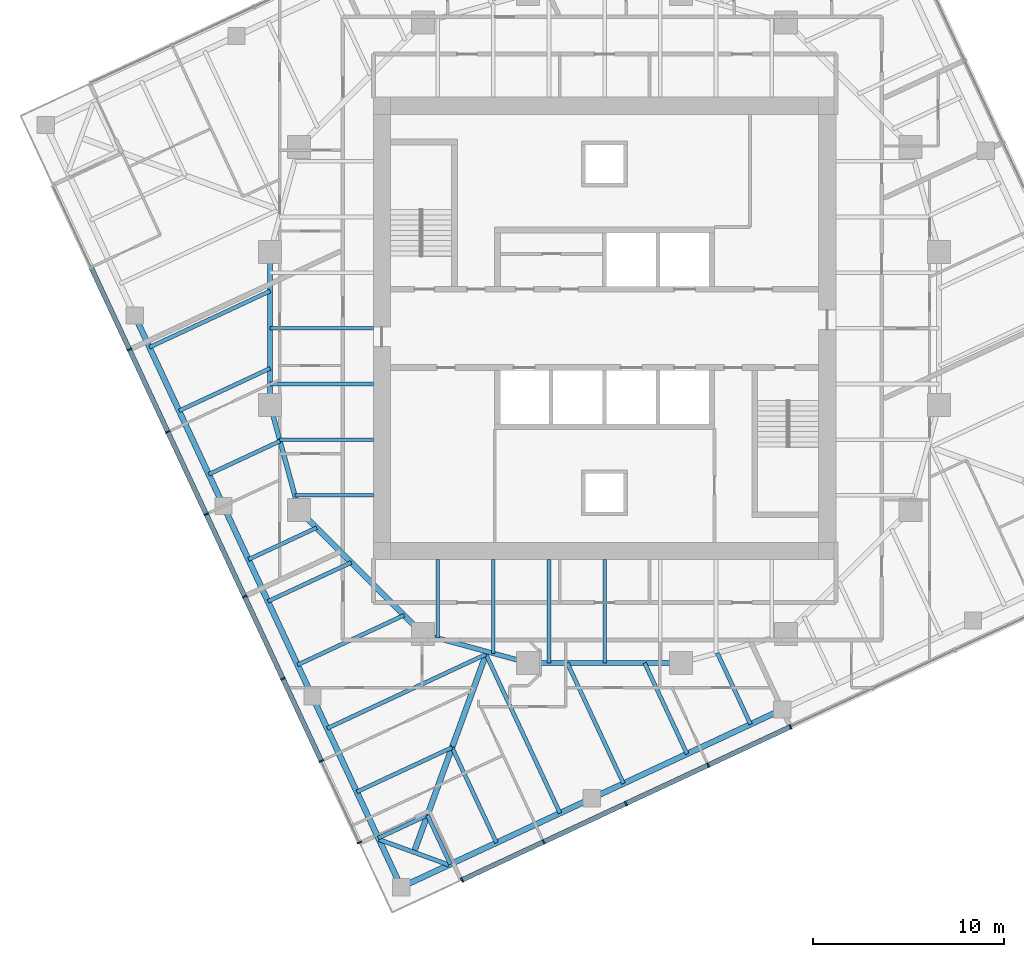
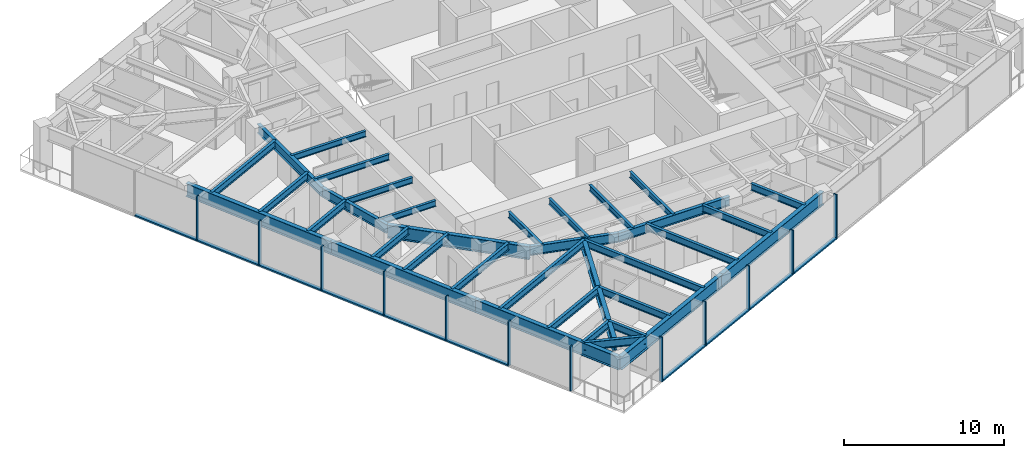
# One storey, part 2 of 13: 35 beams, 22 members, 2 elements without a shape of their own.
"""IFC4 building model written with IfcOpenShell, lengths in metres."""

from ifc_helpers import new_model, si_unit, direction, frame, origin, origin_2d, place, context, subcontext, project, spatial, rectangle, i_section, extrude, material, material_profile, profile_set, type_object, element, aggregate, save


model = new_model("IFC4")

# Units and contexts
model_context = context("Model", 3, precision=1e-05, world=origin(), true_north=direction((0.0, 1.0)))
body_context = subcontext(model_context, "Body", "Model", "MODEL_VIEW")
ifc_project = project(units=[si_unit("LENGTHUNIT", "METRE"), si_unit("AREAUNIT", "SQUARE_METRE"), si_unit("VOLUMEUNIT", "CUBIC_METRE"), si_unit("PLANEANGLEUNIT", "RADIAN"), si_unit("MASSUNIT", "GRAM", prefix="KILO")], contexts=[model_context])

# Site, building, storey
site_placement = place(None, origin())
site = spatial("IfcSite", under=ifc_project, at=site_placement, CompositionType="ELEMENT")
building_placement = place(site_placement, origin())
building = spatial("IfcBuilding", under=site, at=building_placement, Name="Torsade Residences", CompositionType="ELEMENT")
storey_placement = place(building_placement, frame((0.0, 0.0, 176.0)))
storey = spatial("IfcBuildingStorey", under=building, at=storey_placement, Name="L48", CompositionType="ELEMENT", Elevation=176.0)

# Beams
ifc_material_1 = material(Name="Steel grade 300", Category="steel")
ifc_material_profile_1 = material_profile(ifc_material_1, i_section(OverallWidth=0.300048828125, OverallDepth=0.89990234375, WebThickness=0.011962890625, FlangeThickness=0.02490234375, at=origin_2d()), Name="900WB175")
ifc_profile_set_1 = profile_set([ifc_material_profile_1], Name="Steel grade 300")
beam_type_1 = type_object("IfcBeamType", Name="CORNER GIRDER 900WB175", PredefinedType="BEAM", material=ifc_profile_set_1)
beam_1_placement = place(storey_placement, frame((30.02392578125, 2.5908203125, 2.800048828125), z_axis=(0.342015044723, 0.93969447651, 0.0), x_axis=(-0.93969447651, 0.342015044723, 0.0)))
element("IfcBeam", 1, at=beam_1_placement, inside=storey, type_object=beam_type_1, Name="Corner girder 01 L49", PredefinedType="BEAM", context=body_context, shape_type="SweptSolid", body=[
    extrude(i_section(OverallWidth=0.300048828125, OverallDepth=0.89990234375, WebThickness=0.011962890625, FlangeThickness=0.02490234375, at=origin_2d()), origin(), (0.0, 0.0, 1.0), 11.170654296875),
])
ifc_material_2 = material(Name="Steel grade 300", Category="steel")
ifc_material_profile_2 = material_profile(ifc_material_2, i_section(OverallWidth=0.22802734375, OverallDepth=0.60205078125, WebThickness=0.010498046875, FlangeThickness=0.014892578125, FilletRadius=0.013916015625, at=origin_2d()), Name="610UB101")
ifc_profile_set_2 = profile_set([ifc_material_profile_2], Name="Steel grade 300")
beam_type_2 = type_object("IfcBeamType", Name="CORNER TRIMMER 610UB101", PredefinedType="BEAM", material=ifc_profile_set_2)
beam_2_placement = place(storey_placement, frame((31.85107421875, 1.92578125, 2.948974609375), z_axis=(-0.939698076972, 0.342005152204, 0.0), x_axis=(-0.342005152204, -0.939698076972, 0.0)))
element("IfcBeam", 2, at=beam_2_placement, inside=storey, type_object=beam_type_2, Name="Corner trimmer 01 L49", PredefinedType="BEAM", context=body_context, shape_type="SweptSolid", body=[
    extrude(i_section(OverallWidth=0.22802734375, OverallDepth=0.60205078125, WebThickness=0.010498046875, FlangeThickness=0.014892578125, FilletRadius=0.013916015625, at=origin_2d()), origin(), (0.0, 0.0, 1.0), 3.88916015625),
])
ifc_material_3 = material(Name="Steel grade 300", Category="steel")
ifc_material_profile_3 = material_profile(ifc_material_3, i_section(OverallWidth=0.300048828125, OverallDepth=1.0, WebThickness=0.01611328125, FlangeThickness=0.028076171875, at=origin_2d()), Name="1000WB215")
ifc_profile_set_3 = profile_set([ifc_material_profile_3], Name="Steel grade 300")
beam_type_3 = type_object("IfcBeamType", Name="EDGE BEAM 1000WB215", PredefinedType="SPANDREL", material=ifc_profile_set_3)
beam_3_placement = place(storey_placement, frame((29.35888671875, 0.763671875, 2.75), z_axis=(0.906309546032, 0.422614489543, 0.0), x_axis=(-0.422614489543, 0.906309546032, 0.0)))
element("IfcBeam", 3, at=beam_3_placement, inside=storey, type_object=beam_type_3, Name="Edge beam 01 L49", PredefinedType="SPANDREL", context=body_context, shape_type="SweptSolid", body=[
    extrude(i_section(OverallWidth=0.300048828125, OverallDepth=1.0, WebThickness=0.01611328125, FlangeThickness=0.028076171875, at=origin_2d()), origin(), (0.0, 0.0, 1.0), 10.999755859375),
])
for number, where, z_axis, x_axis, name in (
    (4, (39.328125, 5.412353515625, 2.75), (0.906305009094, 0.422624219007, 0.0), (-0.422624219007, 0.906305009094, 0.0), "Edge beam 02 L49"),
    (5, (15.412353515625, 30.671875, 2.75), (0.422624219007, -0.906305009094, 0.0), (0.906305009094, 0.422624219007, 0.0), "Edge beam 14 L49"),
):
    element("IfcBeam", number, at=place(storey_placement, frame(where, z_axis=z_axis, x_axis=x_axis)), inside=storey, type_object=beam_type_3, Name=name, PredefinedType="SPANDREL", context=body_context, shape_type="SweptSolid", body=[
        extrude(i_section(OverallWidth=0.300048828125, OverallDepth=1.0, WebThickness=0.01611328125, FlangeThickness=0.028076171875, at=origin_2d()), origin(), (0.0, 0.0, 1.0), 11.000244140625),
    ])
for number, where, z_axis, x_axis, name in (
    (6, (20.061279296875, 20.702392578125, 2.75), (0.422605988587, -0.906313510001, 0.0), (0.906313510001, 0.422605988587, 0.0), "Edge beam 15 L49"),
    (7, (24.7099609375, 10.73291015625, 2.75), (0.422632720171, -0.90630104482, 0.0), (0.90630104482, 0.422632720171, 0.0), "Edge beam 16 L49"),
):
    element("IfcBeam", number, at=place(storey_placement, frame(where, z_axis=z_axis, x_axis=x_axis)), inside=storey, type_object=beam_type_3, Name=name, PredefinedType="SPANDREL", context=body_context, shape_type="SweptSolid", body=[
        extrude(i_section(OverallWidth=0.300048828125, OverallDepth=1.0, WebThickness=0.01611328125, FlangeThickness=0.028076171875, at=origin_2d()), origin(), (0.0, 0.0, 1.0), 11.0),
    ])
ifc_material_4 = material(Name="Steel grade 300", Category="steel")
ifc_material_profile_4 = material_profile(ifc_material_4, i_section(OverallWidth=0.18994140625, OverallDepth=0.4541015625, WebThickness=0.008544921875, FlangeThickness=0.0126953125, FilletRadius=0.011474609375, at=origin_2d()), Name="460UB67.1")
ifc_profile_set_4 = profile_set([ifc_material_profile_4], Name="Steel grade 300")
beam_type_4 = type_object("IfcBeamType", Name="INNER FLOOR BEAM 460UB67.1", PredefinedType="JOIST", material=ifc_profile_set_4)
for number, where, z_axis, x_axis, name in (
    (8, (40.0, 17.89990234375, 3.02294921875), (0.0, -1.0, 0.0), (1.0, 0.0, 0.0), "Inner floor beam IS04 L49"),
    (9, (37.08740234375, 17.89990234375, 3.02294921875), (0.0, -1.0, 0.0), (1.0, 0.0, 0.0), "Inner floor beam IS05 L49"),
):
    element("IfcBeam", number, at=place(storey_placement, frame(where, z_axis=z_axis, x_axis=x_axis)), inside=storey, type_object=beam_type_4, Name=name, PredefinedType="JOIST", context=body_context, shape_type="SweptSolid", body=[
        extrude(i_section(OverallWidth=0.18994140625, OverallDepth=0.4541015625, WebThickness=0.008544921875, FlangeThickness=0.0126953125, FilletRadius=0.011474609375, at=origin_2d()), origin(), (0.0, 0.0, 1.0), 5.39990234375),
    ])
beam_4_placement = place(storey_placement, frame((34.175048828125, 17.89990234375, 3.02294921875), z_axis=(0.0, -1.0, 0.0), x_axis=(1.0, 0.0, 0.0)))
element("IfcBeam", 10, at=beam_4_placement, inside=storey, type_object=beam_type_4, Name="Inner floor beam IS06 L49", PredefinedType="JOIST", context=body_context, shape_type="SweptSolid", body=[
    extrude(i_section(OverallWidth=0.18994140625, OverallDepth=0.4541015625, WebThickness=0.008544921875, FlangeThickness=0.0126953125, FilletRadius=0.011474609375, at=origin_2d()), origin(), (0.0, 0.0, 1.0), 4.902099609375),
])
beam_5_placement = place(storey_placement, frame((31.262451171875, 17.89990234375, 3.02294921875), z_axis=(0.0, -1.0, 0.0), x_axis=(1.0, 0.0, 0.0)))
element("IfcBeam", 11, at=beam_5_placement, inside=storey, type_object=beam_type_4, Name="Inner floor beam IS07 L49", PredefinedType="JOIST", context=body_context, shape_type="SweptSolid", body=[
    extrude(i_section(OverallWidth=0.18994140625, OverallDepth=0.4541015625, WebThickness=0.008544921875, FlangeThickness=0.0126953125, FilletRadius=0.011474609375, at=origin_2d()), origin(), (0.0, 0.0, 1.0), 4.10791015625),
])
for number, where, z_axis, x_axis, name in (
    (12, (27.89990234375, 30.0, 3.02294921875), (-1.0, 0.0, 0.0), (0.0, -1.0, 0.0), "Inner floor beam IW04 L49"),
    (13, (27.89990234375, 27.08740234375, 3.02294921875), (-1.0, 0.0, 0.0), (0.0, -1.0, 0.0), "Inner floor beam IW05 L49"),
):
    element("IfcBeam", number, at=place(storey_placement, frame(where, z_axis=z_axis, x_axis=x_axis)), inside=storey, type_object=beam_type_4, Name=name, PredefinedType="JOIST", context=body_context, shape_type="SweptSolid", body=[
        extrude(i_section(OverallWidth=0.18994140625, OverallDepth=0.4541015625, WebThickness=0.008544921875, FlangeThickness=0.0126953125, FilletRadius=0.011474609375, at=origin_2d()), origin(), (0.0, 0.0, 1.0), 5.39990234375),
    ])
beam_6_placement = place(storey_placement, frame((27.89990234375, 24.175048828125, 3.02294921875), z_axis=(-1.0, 0.0, 0.0), x_axis=(0.0, -1.0, 0.0)))
element("IfcBeam", 14, at=beam_6_placement, inside=storey, type_object=beam_type_4, Name="Inner floor beam IW06 L49", PredefinedType="JOIST", context=body_context, shape_type="SweptSolid", body=[
    extrude(i_section(OverallWidth=0.18994140625, OverallDepth=0.4541015625, WebThickness=0.008544921875, FlangeThickness=0.0126953125, FilletRadius=0.011474609375, at=origin_2d()), origin(), (0.0, 0.0, 1.0), 4.902099609375),
])
beam_7_placement = place(storey_placement, frame((27.89990234375, 21.262451171875, 3.02294921875), z_axis=(-1.0, 0.0, 0.0), x_axis=(0.0, -1.0, 0.0)))
element("IfcBeam", 15, at=beam_7_placement, inside=storey, type_object=beam_type_4, Name="Inner floor beam IW07 L49", PredefinedType="JOIST", context=body_context, shape_type="SweptSolid", body=[
    extrude(i_section(OverallWidth=0.18994140625, OverallDepth=0.4541015625, WebThickness=0.008544921875, FlangeThickness=0.0126953125, FilletRadius=0.011474609375, at=origin_2d()), origin(), (0.0, 0.0, 1.0), 4.10791015625),
])

# Curtain wall, members
ifc_material_5 = material(Name="Aluminium and glass", Category="aluminium")
curtain_wall_type = type_object("IfcCurtainWallType", Name="FRITTED GLASS CURTAIN WALL MID ZONE", PredefinedType="NOTDEFINED", material=ifc_material_5)
curtain_wall_1_placement = place(storey_placement, origin())
curtain_wall_1 = element("IfcCurtainWall", 16, at=curtain_wall_1_placement, inside=storey, type_object=curtain_wall_type, Name="Curtain wall L48 face 1", PredefinedType="NOTDEFINED")
ifc_material_6 = material(Name="Aluminium mullion", Category="aluminium")
ifc_material_profile_5 = material_profile(ifc_material_6, rectangle(XDim=0.25, YDim=0.080078125, at=origin_2d()), Name="MID ZONE CURTAIN WALL MULLION 250x80")
ifc_profile_set_5 = profile_set([ifc_material_profile_5], Name="Aluminium mullion")
member_type_1 = type_object("IfcMemberType", Name="MID ZONE CURTAIN WALL MULLION 250x80", PredefinedType="MULLION", material=ifc_profile_set_5)
member_1_placement = place(storey_placement, frame((32.53662109375, 1.14208984375, 0.0), z_axis=(0.0, 0.0, 1.0), x_axis=(-0.422618261978, 0.906307786926, 0.0)))
member_1 = element("IfcMember", 17, at=member_1_placement, type_object=member_type_1, Name="Mullion 1", PredefinedType="MULLION", context=body_context, shape_type="SweptSolid", body=[
    extrude(rectangle(XDim=0.25, YDim=0.080078125, at=origin_2d()), origin(), (0.0, 0.0, 1.0), 3.39990234375),
])
member_2_placement = place(storey_placement, frame((36.805419921875, 3.132568359375, 0.0), z_axis=(0.0, 0.0, 1.0), x_axis=(-0.422618261978, 0.906307786926, 0.0)))
member_2 = element("IfcMember", 18, at=member_2_placement, type_object=member_type_1, Name="Mullion 2", PredefinedType="MULLION", context=body_context, shape_type="SweptSolid", body=[
    extrude(rectangle(XDim=0.25, YDim=0.080078125, at=origin_2d()), origin(), (0.0, 0.0, 1.0), 3.39990234375),
])
member_3_placement = place(storey_placement, frame((41.1103515625, 5.14013671875, 0.0), z_axis=(0.0, 0.0, 1.0), x_axis=(-0.422618261978, 0.906307786926, 0.0)))
member_3 = element("IfcMember", 19, at=member_3_placement, type_object=member_type_1, Name="Mullion 3", PredefinedType="MULLION", context=body_context, shape_type="SweptSolid", body=[
    extrude(rectangle(XDim=0.25, YDim=0.080078125, at=origin_2d()), origin(), (0.0, 0.0, 1.0), 3.39990234375),
])
member_4_placement = place(storey_placement, frame((45.415283203125, 7.1474609375, 0.0), z_axis=(0.0, 0.0, 1.0), x_axis=(-0.422618261978, 0.906307786926, 0.0)))
member_4 = element("IfcMember", 20, at=member_4_placement, type_object=member_type_1, Name="Mullion 4", PredefinedType="MULLION", context=body_context, shape_type="SweptSolid", body=[
    extrude(rectangle(XDim=0.25, YDim=0.080078125, at=origin_2d()), origin(), (0.0, 0.0, 1.0), 3.39990234375),
])
member_5_placement = place(storey_placement, frame((49.72021484375, 9.155029296875, 0.0), z_axis=(0.0, 0.0, 1.0), x_axis=(-0.422618261978, 0.906307786926, 0.0)))
member_5 = element("IfcMember", 21, at=member_5_placement, type_object=member_type_1, Name="Mullion 5", PredefinedType="MULLION", context=body_context, shape_type="SweptSolid", body=[
    extrude(rectangle(XDim=0.25, YDim=0.080078125, at=origin_2d()), origin(), (0.0, 0.0, 1.0), 3.39990234375),
])

curtain_wall_2_placement = place(storey_placement, origin())
curtain_wall_2 = element("IfcCurtainWall", 22, at=curtain_wall_2_placement, inside=storey, type_object=curtain_wall_type, Name="Curtain wall L48 face 10", PredefinedType="NOTDEFINED")
member_6_placement = place(storey_placement, frame((15.14013671875, 28.8896484375, 0.0), z_axis=(0.0, 0.0, 1.0), x_axis=(0.906307786926, 0.422618261978, 0.0)))
member_6 = element("IfcMember", 23, at=member_6_placement, type_object=member_type_1, Name="Mullion 3", PredefinedType="MULLION", context=body_context, shape_type="SweptSolid", body=[
    extrude(rectangle(XDim=0.25, YDim=0.080078125, at=origin_2d()), origin(), (0.0, 0.0, 1.0), 3.39990234375),
])
member_7_placement = place(storey_placement, frame((17.1474609375, 24.584716796875, 0.0), z_axis=(0.0, 0.0, 1.0), x_axis=(0.906307786926, 0.422618261978, 0.0)))
member_7 = element("IfcMember", 24, at=member_7_placement, type_object=member_type_1, Name="Mullion 4", PredefinedType="MULLION", context=body_context, shape_type="SweptSolid", body=[
    extrude(rectangle(XDim=0.25, YDim=0.080078125, at=origin_2d()), origin(), (0.0, 0.0, 1.0), 3.39990234375),
])
member_8_placement = place(storey_placement, frame((19.155029296875, 20.27978515625, 0.0), z_axis=(0.0, 0.0, 1.0), x_axis=(0.906307786926, 0.422618261978, 0.0)))
member_8 = element("IfcMember", 25, at=member_8_placement, type_object=member_type_1, Name="Mullion 5", PredefinedType="MULLION", context=body_context, shape_type="SweptSolid", body=[
    extrude(rectangle(XDim=0.25, YDim=0.080078125, at=origin_2d()), origin(), (0.0, 0.0, 1.0), 3.39990234375),
])
member_9_placement = place(storey_placement, frame((21.162353515625, 15.974853515625, 0.0), z_axis=(0.0, 0.0, 1.0), x_axis=(0.906307786926, 0.422618261978, 0.0)))
member_9 = element("IfcMember", 26, at=member_9_placement, type_object=member_type_1, Name="Mullion 6", PredefinedType="MULLION", context=body_context, shape_type="SweptSolid", body=[
    extrude(rectangle(XDim=0.25, YDim=0.080078125, at=origin_2d()), origin(), (0.0, 0.0, 1.0), 3.39990234375),
])
member_10_placement = place(storey_placement, frame((23.169677734375, 11.669921875, 0.0), z_axis=(0.0, 0.0, 1.0), x_axis=(0.906307786926, 0.422618261978, 0.0)))
member_10 = element("IfcMember", 27, at=member_10_placement, type_object=member_type_1, Name="Mullion 7", PredefinedType="MULLION", context=body_context, shape_type="SweptSolid", body=[
    extrude(rectangle(XDim=0.25, YDim=0.080078125, at=origin_2d()), origin(), (0.0, 0.0, 1.0), 3.39990234375),
])
member_11_placement = place(storey_placement, frame((25.17724609375, 7.364990234375, 0.0), z_axis=(0.0, 0.0, 1.0), x_axis=(0.906307786926, 0.422618261978, 0.0)))
member_11 = element("IfcMember", 28, at=member_11_placement, type_object=member_type_1, Name="Mullion 8", PredefinedType="MULLION", context=body_context, shape_type="SweptSolid", body=[
    extrude(rectangle(XDim=0.25, YDim=0.080078125, at=origin_2d()), origin(), (0.0, 0.0, 1.0), 3.39990234375),
])
member_12_placement = place(storey_placement, frame((27.167724609375, 3.09619140625, 0.0), z_axis=(0.0, 0.0, 1.0), x_axis=(0.906307786926, 0.422618261978, 0.0)))
member_12 = element("IfcMember", 29, at=member_12_placement, type_object=member_type_1, Name="Mullion 9", PredefinedType="MULLION", context=body_context, shape_type="SweptSolid", body=[
    extrude(rectangle(XDim=0.25, YDim=0.080078125, at=origin_2d()), origin(), (0.0, 0.0, 1.0), 3.39990234375),
])

# Member
ifc_material_7 = material(Name="Aluminium transom", Category="aluminium")
ifc_material_profile_6 = material_profile(ifc_material_7, rectangle(XDim=0.25, YDim=0.110107421875, at=origin_2d()), Name="MID ZONE CURTAIN WALL TRANSOM 250x110")
ifc_profile_set_6 = profile_set([ifc_material_profile_6], Name="Aluminium transom")
member_type_2 = type_object("IfcMemberType", Name="MID ZONE CURTAIN WALL TRANSOM 250x110", PredefinedType="USERDEFINED", material=ifc_profile_set_6)
member_13_placement = place(storey_placement, frame((32.572998046875, 1.158935546875, 0.054931640625), z_axis=(0.906296268578, 0.422642962277, 0.0), x_axis=(-0.422642962277, 0.906296268578, 0.0)))
member_13 = element("IfcMember", 30, at=member_13_placement, type_object=member_type_2, Name="Transom 1.1", ObjectType="TRANSOM", PredefinedType="USERDEFINED", context=body_context, shape_type="SweptSolid", body=[
    extrude(rectangle(XDim=0.25, YDim=0.110107421875, at=origin_2d()), origin(), (0.0, 0.0, 1.0), 4.6298828125),
])

member_14_placement = place(storey_placement, frame((36.841552734375, 3.1494140625, 0.054931640625), z_axis=(0.906305976097, 0.422622145291, 0.0), x_axis=(-0.422622145291, 0.906305976097, 0.0)))
member_14 = element("IfcMember", 31, at=member_14_placement, type_object=member_type_2, Name="Transom 2.1", ObjectType="TRANSOM", PredefinedType="USERDEFINED", context=body_context, shape_type="SweptSolid", body=[
    extrude(rectangle(XDim=0.25, YDim=0.110107421875, at=origin_2d()), origin(), (0.0, 0.0, 1.0), 4.669921875),
])

member_15_placement = place(storey_placement, frame((41.146484375, 5.156982421875, 0.054931640625), z_axis=(0.906305976097, 0.422622145291, 0.0), x_axis=(-0.422622145291, 0.906305976097, 0.0)))
member_15 = element("IfcMember", 32, at=member_15_placement, type_object=member_type_2, Name="Transom 3.1", ObjectType="TRANSOM", PredefinedType="USERDEFINED", context=body_context, shape_type="SweptSolid", body=[
    extrude(rectangle(XDim=0.25, YDim=0.110107421875, at=origin_2d()), origin(), (0.0, 0.0, 1.0), 4.669921875),
])

member_16_placement = place(storey_placement, frame((45.451416015625, 7.164306640625, 0.054931640625), z_axis=(0.90631531293, 0.422602122035, 0.0), x_axis=(-0.422602122035, 0.90631531293, 0.0)))
member_16 = element("IfcMember", 33, at=member_16_placement, type_object=member_type_2, Name="Transom 4.1", ObjectType="TRANSOM", PredefinedType="USERDEFINED", context=body_context, shape_type="SweptSolid", body=[
    extrude(rectangle(XDim=0.25, YDim=0.110107421875, at=origin_2d()), origin(), (0.0, 0.0, 1.0), 4.670166015625),
])

aggregate(curtain_wall_1, [member_1, member_2, member_3, member_4, member_5, member_13, member_14, member_15, member_16])

member_17_placement = place(storey_placement, frame((13.1494140625, 33.158447265625, 0.054931640625), z_axis=(0.422622145291, -0.906305976097, 0.0), x_axis=(0.906305976097, 0.422622145291, 0.0)))
member_17 = element("IfcMember", 34, at=member_17_placement, type_object=member_type_2, Name="Transom 2.1", ObjectType="TRANSOM", PredefinedType="USERDEFINED", context=body_context, shape_type="SweptSolid", body=[
    extrude(rectangle(XDim=0.25, YDim=0.110107421875, at=origin_2d()), origin(), (0.0, 0.0, 1.0), 4.669921875),
])

member_18_placement = place(storey_placement, frame((15.156982421875, 28.853515625, 0.054931640625), z_axis=(0.422622145291, -0.906305976097, 0.0), x_axis=(0.906305976097, 0.422622145291, 0.0)))
member_18 = element("IfcMember", 35, at=member_18_placement, type_object=member_type_2, Name="Transom 3.1", ObjectType="TRANSOM", PredefinedType="USERDEFINED", context=body_context, shape_type="SweptSolid", body=[
    extrude(rectangle(XDim=0.25, YDim=0.110107421875, at=origin_2d()), origin(), (0.0, 0.0, 1.0), 4.669921875),
])

member_19_placement = place(storey_placement, frame((17.164306640625, 24.548583984375, 0.054931640625), z_axis=(0.422602122035, -0.90631531293, 0.0), x_axis=(0.90631531293, 0.422602122035, 0.0)))
member_19 = element("IfcMember", 36, at=member_19_placement, type_object=member_type_2, Name="Transom 4.1", ObjectType="TRANSOM", PredefinedType="USERDEFINED", context=body_context, shape_type="SweptSolid", body=[
    extrude(rectangle(XDim=0.25, YDim=0.110107421875, at=origin_2d()), origin(), (0.0, 0.0, 1.0), 4.670166015625),
])

member_20_placement = place(storey_placement, frame((19.171875, 20.243408203125, 0.054931640625), z_axis=(0.422622145291, -0.906305976097, 0.0), x_axis=(0.906305976097, 0.422622145291, 0.0)))
member_20 = element("IfcMember", 37, at=member_20_placement, type_object=member_type_2, Name="Transom 5.1", ObjectType="TRANSOM", PredefinedType="USERDEFINED", context=body_context, shape_type="SweptSolid", body=[
    extrude(rectangle(XDim=0.25, YDim=0.110107421875, at=origin_2d()), origin(), (0.0, 0.0, 1.0), 4.669921875),
])

member_21_placement = place(storey_placement, frame((21.17919921875, 15.9384765625, 0.054931640625), z_axis=(0.422622145291, -0.906305976097, 0.0), x_axis=(0.906305976097, 0.422622145291, 0.0)))
member_21 = element("IfcMember", 38, at=member_21_placement, type_object=member_type_2, Name="Transom 6.1", ObjectType="TRANSOM", PredefinedType="USERDEFINED", context=body_context, shape_type="SweptSolid", body=[
    extrude(rectangle(XDim=0.25, YDim=0.110107421875, at=origin_2d()), origin(), (0.0, 0.0, 1.0), 4.669921875),
])

member_22_placement = place(storey_placement, frame((23.186767578125, 11.633544921875, 0.054931640625), z_axis=(0.422622145291, -0.906305976097, 0.0), x_axis=(0.906305976097, 0.422622145291, 0.0)))
member_22 = element("IfcMember", 39, at=member_22_placement, type_object=member_type_2, Name="Transom 7.1", ObjectType="TRANSOM", PredefinedType="USERDEFINED", context=body_context, shape_type="SweptSolid", body=[
    extrude(rectangle(XDim=0.25, YDim=0.110107421875, at=origin_2d()), origin(), (0.0, 0.0, 1.0), 4.669921875),
])

aggregate(curtain_wall_2, [member_6, member_7, member_8, member_9, member_10, member_11, member_12, member_17, member_18, member_19, member_20, member_21, member_22])

# Beams
ifc_material_8 = material(Name="Steel grade 300", Category="steel")
ifc_material_profile_7 = material_profile(ifc_material_8, i_section(OverallWidth=0.300048828125, OverallDepth=1.0, WebThickness=0.01611328125, FlangeThickness=0.028076171875, at=origin_2d()), Name="1000WB215")
ifc_profile_set_7 = profile_set([ifc_material_profile_7], Name="Steel grade 300")
beam_type_5 = type_object("IfcBeamType", Name="RING CORNER GIRDER 1000WB215", PredefinedType="BEAM", material=ifc_profile_set_7)
beam_8_placement = place(storey_placement, frame((24.0, 20.5, 2.75), z_axis=(0.707106781187, -0.707106781187, 0.0), x_axis=(0.707106781187, 0.707106781187, 0.0)))
element("IfcBeam", 40, at=beam_8_placement, inside=storey, type_object=beam_type_5, Name="Ring girder IR11 L49", PredefinedType="BEAM", context=body_context, shape_type="SweptSolid", body=[
    extrude(i_section(OverallWidth=0.300048828125, OverallDepth=1.0, WebThickness=0.01611328125, FlangeThickness=0.028076171875, at=origin_2d()), origin(), (0.0, 0.0, 1.0), 9.1923828125),
])
ifc_material_9 = material(Name="Steel grade 300", Category="steel")
ifc_material_profile_8 = material_profile(ifc_material_9, i_section(OverallWidth=0.25, OverallDepth=0.699951171875, WebThickness=0.010009765625, FlangeThickness=0.02001953125, at=origin_2d()), Name="700WB130")
ifc_profile_set_8 = profile_set([ifc_material_profile_8], Name="Steel grade 300")
beam_type_6 = type_object("IfcBeamType", Name="RING GIRDER 700WB130", PredefinedType="BEAM", material=ifc_profile_set_8)
beam_9_placement = place(storey_placement, frame((22.5, 34.0, 2.89990234375), z_axis=(0.0, -1.0, 0.0), x_axis=(1.0, 0.0, 0.0)))
element("IfcBeam", 41, at=beam_9_placement, inside=storey, type_object=beam_type_6, Name="Ring girder IR09 L49", PredefinedType="BEAM", context=body_context, shape_type="SweptSolid", body=[
    extrude(i_section(OverallWidth=0.25, OverallDepth=0.699951171875, WebThickness=0.010009765625, FlangeThickness=0.02001953125, at=origin_2d()), origin(), (0.0, 0.0, 1.0), 8.0),
])
for number, where, z_axis, x_axis, name in (
    (42, (22.5, 26.0, 2.89990234375), (0.263117405792, -0.964763821238, 0.0), (0.964763821238, 0.263117405792, 0.0), "Ring girder IR10 L49"),
    (43, (30.5, 14.0, 2.89990234375), (0.964763821238, -0.263117405792, 0.0), (0.263117405792, 0.964763821238, 0.0), "Ring girder IR12 L49"),
):
    element("IfcBeam", number, at=place(storey_placement, frame(where, z_axis=z_axis, x_axis=x_axis)), inside=storey, type_object=beam_type_6, Name=name, PredefinedType="BEAM", context=body_context, shape_type="SweptSolid", body=[
        extrude(i_section(OverallWidth=0.25, OverallDepth=0.699951171875, WebThickness=0.010009765625, FlangeThickness=0.02001953125, at=origin_2d()), origin(), (0.0, 0.0, 1.0), 5.700927734375),
    ])
beam_10_placement = place(storey_placement, frame((36.0, 12.5, 2.89990234375), z_axis=(1.0, 0.0, 0.0), x_axis=(0.0, 1.0, 0.0)))
element("IfcBeam", 44, at=beam_10_placement, inside=storey, type_object=beam_type_6, Name="Ring girder IR13 L49", PredefinedType="BEAM", context=body_context, shape_type="SweptSolid", body=[
    extrude(i_section(OverallWidth=0.25, OverallDepth=0.699951171875, WebThickness=0.010009765625, FlangeThickness=0.02001953125, at=origin_2d()), origin(), (0.0, 0.0, 1.0), 8.0),
])
ifc_material_10 = material(Name="Steel grade 300", Category="steel")
ifc_material_profile_9 = material_profile(ifc_material_10, i_section(OverallWidth=0.208984375, OverallDepth=0.528076171875, WebThickness=0.009521484375, FlangeThickness=0.01318359375, FilletRadius=0.013916015625, at=origin_2d()), Name="530UB82.0")
ifc_profile_set_9 = profile_set([ifc_material_profile_9], Name="Steel grade 300")
beam_type_7 = type_object("IfcBeamType", Name="SECONDARY BEAM 530UB82.0", PredefinedType="JOIST", material=ifc_profile_set_9)
beam_11_placement = place(storey_placement, frame((31.9267578125, 1.9609375, 2.986083984375), z_axis=(-0.422644877104, 0.906295375613, 0.0), x_axis=(-0.906295375613, -0.422644877104, 0.0)))
element("IfcBeam", 45, at=beam_11_placement, inside=storey, type_object=beam_type_7, Name="Floor beam FS01 L49", PredefinedType="JOIST", context=body_context, shape_type="SweptSolid", body=[
    extrude(i_section(OverallWidth=0.208984375, OverallDepth=0.528076171875, WebThickness=0.009521484375, FlangeThickness=0.01318359375, FilletRadius=0.013916015625, at=origin_2d()), origin(), (0.0, 0.0, 1.0), 2.833251953125),
])
beam_12_placement = place(storey_placement, frame((34.343505859375, 3.088134765625, 2.986083984375), z_axis=(-0.422632720171, 0.90630104482, 0.0), x_axis=(-0.90630104482, -0.422632720171, 0.0)))
element("IfcBeam", 46, at=beam_12_placement, inside=storey, type_object=beam_type_7, Name="Floor beam FS02 L49", PredefinedType="JOIST", context=body_context, shape_type="SweptSolid", body=[
    extrude(i_section(OverallWidth=0.208984375, OverallDepth=0.528076171875, WebThickness=0.009521484375, FlangeThickness=0.01318359375, FilletRadius=0.013916015625, at=origin_2d()), origin(), (0.0, 0.0, 1.0), 5.5),
])
beam_13_placement = place(storey_placement, frame((37.666748046875, 4.6376953125, 2.986083984375), z_axis=(-0.422618627092, 0.90630761667, 0.0), x_axis=(-0.90630761667, -0.422618627092, 0.0)))
element("IfcBeam", 47, at=beam_13_placement, inside=storey, type_object=beam_type_7, Name="Floor beam FS03 L49", PredefinedType="JOIST", context=body_context, shape_type="SweptSolid", body=[
    extrude(i_section(OverallWidth=0.208984375, OverallDepth=0.528076171875, WebThickness=0.009521484375, FlangeThickness=0.01318359375, FilletRadius=0.013916015625, at=origin_2d()), origin(), (0.0, 0.0, 1.0), 9.166748046875),
])
beam_14_placement = place(storey_placement, frame((40.98974609375, 6.187255859375, 2.986083984375), z_axis=(-0.422609131726, 0.906312044376, 0.0), x_axis=(-0.906312044376, -0.422609131726, 0.0)))
element("IfcBeam", 48, at=beam_14_placement, inside=storey, type_object=beam_type_7, Name="Floor beam FS04 L49", PredefinedType="JOIST", context=body_context, shape_type="SweptSolid", body=[
    extrude(i_section(OverallWidth=0.208984375, OverallDepth=0.528076171875, WebThickness=0.009521484375, FlangeThickness=0.01318359375, FilletRadius=0.013916015625, at=origin_2d()), origin(), (0.0, 0.0, 1.0), 6.96533203125),
])
beam_15_placement = place(storey_placement, frame((44.31298828125, 7.73681640625, 2.986083984375), z_axis=(-0.422631142882, 0.90630178035, 0.0), x_axis=(-0.90630178035, -0.422631142882, 0.0)))
element("IfcBeam", 49, at=beam_15_placement, inside=storey, type_object=beam_type_7, Name="Floor beam FS05 L49", PredefinedType="JOIST", context=body_context, shape_type="SweptSolid", body=[
    extrude(i_section(OverallWidth=0.208984375, OverallDepth=0.528076171875, WebThickness=0.009521484375, FlangeThickness=0.01318359375, FilletRadius=0.013916015625, at=origin_2d()), origin(), (0.0, 0.0, 1.0), 5.255615234375),
])
beam_16_placement = place(storey_placement, frame((47.635986328125, 9.286376953125, 2.986083984375), z_axis=(-0.422635442612, 0.906299775267, 0.0), x_axis=(-0.906299775267, -0.422635442612, 0.0)))
element("IfcBeam", 50, at=beam_16_placement, inside=storey, type_object=beam_type_7, Name="Floor beam FS06 L49", PredefinedType="JOIST", context=body_context, shape_type="SweptSolid", body=[
    extrude(i_section(OverallWidth=0.208984375, OverallDepth=0.528076171875, WebThickness=0.009521484375, FlangeThickness=0.01318359375, FilletRadius=0.013916015625, at=origin_2d()), origin(), (0.0, 0.0, 1.0), 4.116455078125),
])
beam_17_placement = place(storey_placement, frame((16.187255859375, 29.01025390625, 2.986083984375), z_axis=(0.906312044376, 0.422609131726, 0.0), x_axis=(-0.422609131726, 0.906312044376, 0.0)))
element("IfcBeam", 51, at=beam_17_placement, inside=storey, type_object=beam_type_7, Name="Floor beam FW04 L49", PredefinedType="JOIST", context=body_context, shape_type="SweptSolid", body=[
    extrude(i_section(OverallWidth=0.208984375, OverallDepth=0.528076171875, WebThickness=0.009521484375, FlangeThickness=0.01318359375, FilletRadius=0.013916015625, at=origin_2d()), origin(), (0.0, 0.0, 1.0), 6.96533203125),
])
beam_18_placement = place(storey_placement, frame((17.73681640625, 25.68701171875, 2.986083984375), z_axis=(0.90630178035, 0.422631142882, 0.0), x_axis=(-0.422631142882, 0.90630178035, 0.0)))
element("IfcBeam", 52, at=beam_18_placement, inside=storey, type_object=beam_type_7, Name="Floor beam FW05 L49", PredefinedType="JOIST", context=body_context, shape_type="SweptSolid", body=[
    extrude(i_section(OverallWidth=0.208984375, OverallDepth=0.528076171875, WebThickness=0.009521484375, FlangeThickness=0.01318359375, FilletRadius=0.013916015625, at=origin_2d()), origin(), (0.0, 0.0, 1.0), 5.255615234375),
])
beam_19_placement = place(storey_placement, frame((19.286376953125, 22.364013671875, 2.986083984375), z_axis=(0.906299775267, 0.422635442612, 0.0), x_axis=(-0.422635442612, 0.906299775267, 0.0)))
element("IfcBeam", 53, at=beam_19_placement, inside=storey, type_object=beam_type_7, Name="Floor beam FW06 L49", PredefinedType="JOIST", context=body_context, shape_type="SweptSolid", body=[
    extrude(i_section(OverallWidth=0.208984375, OverallDepth=0.528076171875, WebThickness=0.009521484375, FlangeThickness=0.01318359375, FilletRadius=0.013916015625, at=origin_2d()), origin(), (0.0, 0.0, 1.0), 4.116455078125),
])
beam_20_placement = place(storey_placement, frame((21.3642578125, 17.907958984375, 2.986083984375), z_axis=(0.906295680735, 0.422644222818, 0.0), x_axis=(-0.422644222818, 0.906295680735, 0.0)))
element("IfcBeam", 54, at=beam_20_placement, inside=storey, type_object=beam_type_7, Name="Floor beam FW07 L49", PredefinedType="JOIST", context=body_context, shape_type="SweptSolid", body=[
    extrude(i_section(OverallWidth=0.208984375, OverallDepth=0.528076171875, WebThickness=0.009521484375, FlangeThickness=0.01318359375, FilletRadius=0.013916015625, at=origin_2d()), origin(), (0.0, 0.0, 1.0), 3.933837890625),
])
beam_21_placement = place(storey_placement, frame((22.3857421875, 15.7177734375, 2.986083984375), z_axis=(0.906307500203, 0.422618876857, 0.0), x_axis=(-0.422618876857, 0.906307500203, 0.0)))
element("IfcBeam", 55, at=beam_21_placement, inside=storey, type_object=beam_type_7, Name="Floor beam FW08 L49", PredefinedType="JOIST", context=body_context, shape_type="SweptSolid", body=[
    extrude(i_section(OverallWidth=0.208984375, OverallDepth=0.528076171875, WebThickness=0.009521484375, FlangeThickness=0.01318359375, FilletRadius=0.013916015625, at=origin_2d()), origin(), (0.0, 0.0, 1.0), 4.813232421875),
])
beam_22_placement = place(storey_placement, frame((23.935302734375, 12.39453125, 2.986083984375), z_axis=(0.906293692233, 0.42264848683, 0.0), x_axis=(-0.42264848683, 0.906293692233, 0.0)))
element("IfcBeam", 56, at=beam_22_placement, inside=storey, type_object=beam_type_7, Name="Floor beam FW09 L49", PredefinedType="JOIST", context=body_context, shape_type="SweptSolid", body=[
    extrude(i_section(OverallWidth=0.208984375, OverallDepth=0.528076171875, WebThickness=0.009521484375, FlangeThickness=0.01318359375, FilletRadius=0.013916015625, at=origin_2d()), origin(), (0.0, 0.0, 1.0), 6.14794921875),
])
beam_23_placement = place(storey_placement, frame((25.48486328125, 9.071533203125, 2.986083984375), z_axis=(0.90630761667, 0.422618627092, 0.0), x_axis=(-0.422618627092, 0.90630761667, 0.0)))
element("IfcBeam", 57, at=beam_23_placement, inside=storey, type_object=beam_type_7, Name="Floor beam FW10 L49", PredefinedType="JOIST", context=body_context, shape_type="SweptSolid", body=[
    extrude(i_section(OverallWidth=0.208984375, OverallDepth=0.528076171875, WebThickness=0.009521484375, FlangeThickness=0.01318359375, FilletRadius=0.013916015625, at=origin_2d()), origin(), (0.0, 0.0, 1.0), 9.166748046875),
])
beam_24_placement = place(storey_placement, frame((27.034423828125, 5.748291015625, 2.986083984375), z_axis=(0.90630104482, 0.422632720171, 0.0), x_axis=(-0.422632720171, 0.90630104482, 0.0)))
element("IfcBeam", 58, at=beam_24_placement, inside=storey, type_object=beam_type_7, Name="Floor beam FW11 L49", PredefinedType="JOIST", context=body_context, shape_type="SweptSolid", body=[
    extrude(i_section(OverallWidth=0.208984375, OverallDepth=0.528076171875, WebThickness=0.009521484375, FlangeThickness=0.01318359375, FilletRadius=0.013916015625, at=origin_2d()), origin(), (0.0, 0.0, 1.0), 5.5),
])
beam_25_placement = place(storey_placement, frame((28.161376953125, 3.33154296875, 2.986083984375), z_axis=(0.906328379221, 0.42257409885, 0.0), x_axis=(-0.42257409885, 0.906328379221, 0.0)))
element("IfcBeam", 59, at=beam_25_placement, inside=storey, type_object=beam_type_7, Name="Floor beam FW12 L49", PredefinedType="JOIST", context=body_context, shape_type="SweptSolid", body=[
    extrude(i_section(OverallWidth=0.208984375, OverallDepth=0.528076171875, WebThickness=0.009521484375, FlangeThickness=0.01318359375, FilletRadius=0.013916015625, at=origin_2d()), origin(), (0.0, 0.0, 1.0), 2.833251953125),
])

save(model, "model.ifc")
